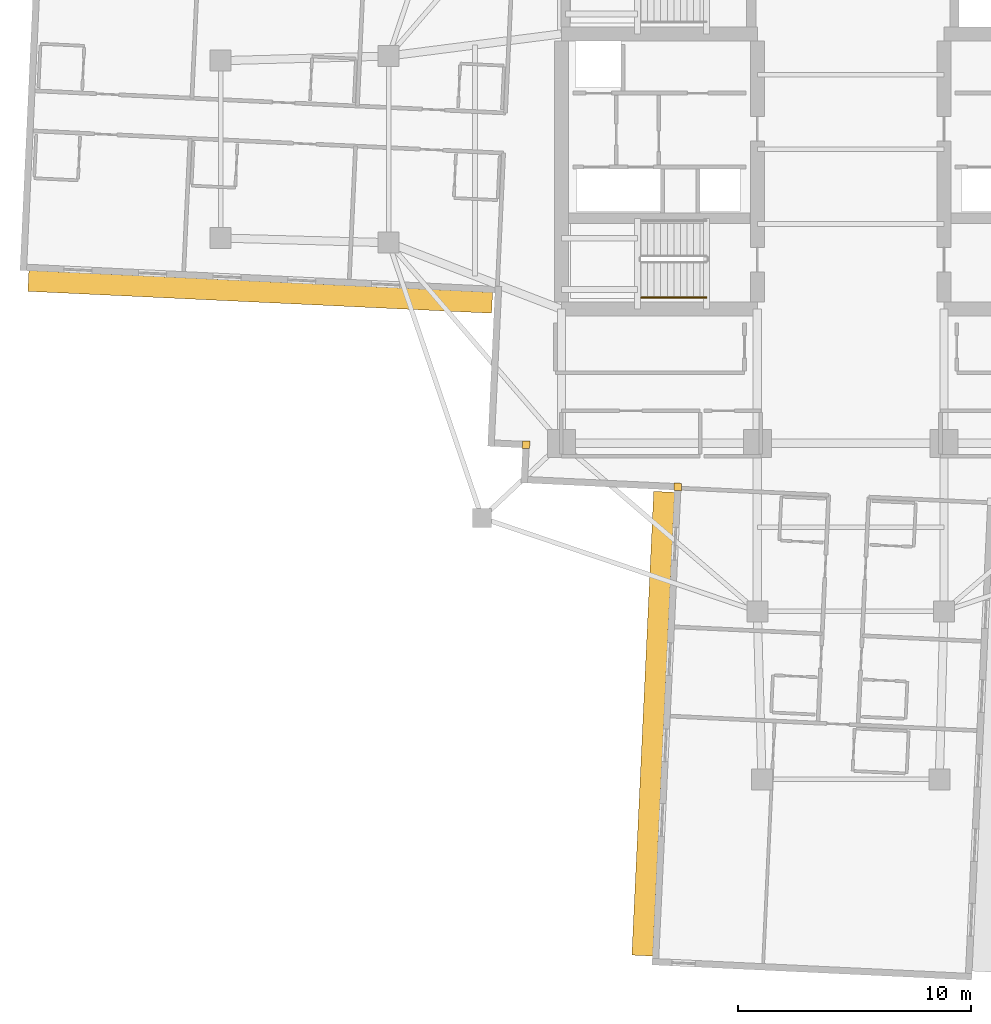
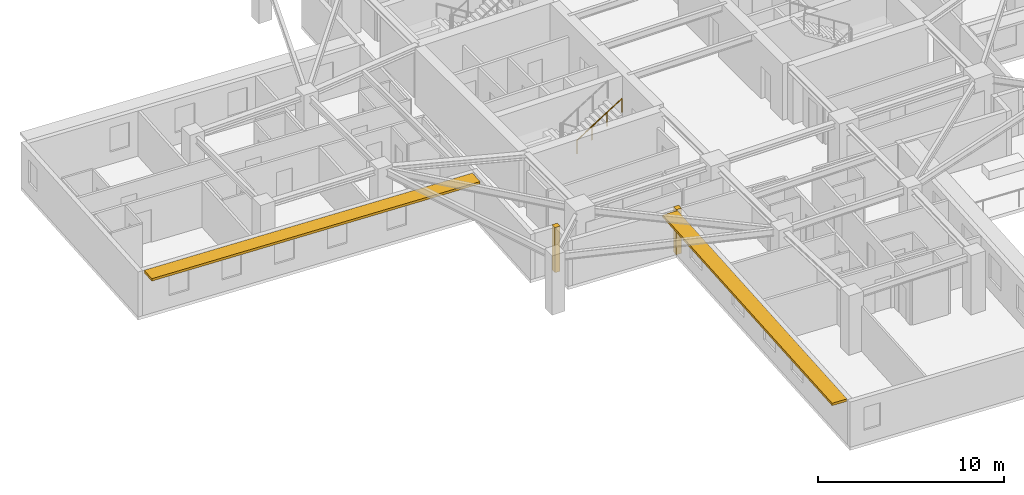
# One storey, part 10 of 14: 2 coverings, 2 shading devices, 1 railing.
"""IFC4 building model written with IfcOpenShell, lengths in metres."""

import ifcopenshell
import ifcopenshell.guid

model = None  # the IFC model being written
_history = None  # IfcOwnerHistory: only IFC2X3 demands one
_inside = {}  # id of a spatial element -> (the spatial element, [elements in it])
_under = {}  # id of a project, library or spatial element -> (it, [spatial elements below it])
_declared = {}  # id of a project -> (the project, [libraries it declares])
_typed = {}  # id of a type object -> (the type object, [elements of that type])
_made_of = {}  # id of a material, layer set ... -> (it, [elements and type objects made of it])


def new_model(schema):
    """Start an empty IFC model of exactly this schema.

    Asked for "IFC4X3", IfcOpenShell would pick the latest addendum, in which some entities
    have other attributes; the version numbers below select the first issue.
    IFC2X3 requires an IfcOwnerHistory on every rooted entity: one is made here for all.
    """
    global model, _history
    if schema == "IFC4X3":
        model = ifcopenshell.file(schema_version=(4, 3, 0, 0))
    else:
        model = ifcopenshell.file(schema=schema)
    _inside.clear()
    _under.clear()
    _declared.clear()
    _typed.clear()
    _made_of.clear()
    _history = None
    if model.schema == "IFC2X3":
        org = make("IfcOrganization", Name="unknown")
        user = make(
            "IfcPersonAndOrganization",
            ThePerson=make("IfcPerson", FamilyName="unknown"),
            TheOrganization=org,
        )
        app = make(
            "IfcApplication",
            ApplicationDeveloper=org,
            Version="unknown",
            ApplicationFullName="unknown",
            ApplicationIdentifier="unknown",
        )
        _history = make(
            "IfcOwnerHistory",
            OwningUser=user,
            OwningApplication=app,
            ChangeAction="ADDED",
            CreationDate=0,
        )
    return model


def make(cls, **values):
    """One entity of the class cls with the attributes given. An attribute that is None is left unset."""
    return model.create_entity(
        cls, **{name: value for name, value in values.items() if value is not None}
    )


def rooted(cls, **values):
    """An entity with a GlobalId (a new one), such as an element, a storey or a relation."""
    return make(cls, GlobalId=ifcopenshell.guid.new(), OwnerHistory=_history, **values)


def si_unit(unit_type, name, prefix=None):
    """IfcSIUnit, for example si_unit("LENGTHUNIT", "METRE", prefix="MILLI")."""
    return make("IfcSIUnit", UnitType=unit_type, Prefix=prefix, Name=name)


def assignment(units):
    """IfcUnitAssignment: the units of a project."""
    return None if units is None else make("IfcUnitAssignment", Units=units)


def point(xyz):
    """IfcCartesianPoint."""
    return None if xyz is None else make("IfcCartesianPoint", Coordinates=xyz)


def direction(xyz):
    """IfcDirection."""
    return None if xyz is None else make("IfcDirection", DirectionRatios=xyz)


def frame(location, z_axis=None, x_axis=None):
    """IfcAxis2Placement3D, a coordinate frame: its origin and axes. An axis left out is left unset."""
    return make(
        "IfcAxis2Placement3D",
        Location=point(location),
        Axis=direction(z_axis),
        RefDirection=direction(x_axis),
    )


def frame_2d(location, x_axis=None):
    """IfcAxis2Placement2D, a coordinate frame in the plane: its origin and x axis."""
    return make(
        "IfcAxis2Placement2D", Location=point(location), RefDirection=direction(x_axis)
    )


def origin():
    """The frame at (0, 0, 0) with its axes left unset."""
    return frame((0.0, 0.0, 0.0))


def origin_2d():
    """The frame at (0, 0) in the plane with its x axis left unset."""
    return frame_2d((0.0, 0.0))


def place(relative_to, where):
    """IfcLocalPlacement: puts the frame where relative to a parent placement (None: the world)."""
    return make(
        "IfcLocalPlacement", PlacementRelTo=relative_to, RelativePlacement=where
    )


def context(
    kind, dimensions, precision=None, world=None, true_north=None, identifier=None
):
    """IfcGeometricRepresentationContext, for example the 3D "Model" context."""
    return make(
        "IfcGeometricRepresentationContext",
        ContextIdentifier=identifier,
        ContextType=kind,
        CoordinateSpaceDimension=dimensions,
        Precision=precision,
        WorldCoordinateSystem=world,
        TrueNorth=true_north,
    )


def subcontext(parent, identifier, kind, view, scale=None):
    """IfcGeometricRepresentationSubContext, for example "Body" below "Model"."""
    return make(
        "IfcGeometricRepresentationSubContext",
        ContextIdentifier=identifier,
        ContextType=kind,
        ParentContext=parent,
        TargetScale=scale,
        TargetView=view,
    )


def project(units=None, contexts=None):
    """IfcProject with its units and contexts."""
    return rooted(
        "IfcProject",
        Name="project",
        RepresentationContexts=contexts,
        UnitsInContext=assignment(units),
    )


def spatial(cls, under=None, at=None, **own):
    """A site, building, storey or space (cls), placed at a placement, below another one or the project."""
    s = rooted(cls, ObjectPlacement=at, **own)
    if under is not None:
        _under.setdefault(under.id(), (under, []))[1].append(s)
    return s


def profile(cls, at=None, kind="AREA", **sizes):
    """A parametric profile (cls). Its sizes go by their IFC names, for example OverallWidth=200.0."""
    return make(cls, ProfileType=kind, Position=at, **sizes)


def rectangle(**sizes):
    """IfcRectangleProfileDef."""
    return profile("IfcRectangleProfileDef", **sizes)


def circle(**sizes):
    """IfcCircleProfileDef."""
    return profile("IfcCircleProfileDef", **sizes)


def extrude(swept, where, along, depth):
    """IfcExtrudedAreaSolid: the profile swept, set in the frame where, extruded along a direction by depth."""
    return make(
        "IfcExtrudedAreaSolid",
        SweptArea=swept,
        Position=where,
        ExtrudedDirection=direction(along),
        Depth=depth,
    )


def shape(context_of_items, identifier, shape_type, items):
    """IfcShapeRepresentation: the items that make up one representation, for example the "Body"."""
    return make(
        "IfcShapeRepresentation",
        ContextOfItems=context_of_items,
        RepresentationIdentifier=identifier,
        RepresentationType=shape_type,
        Items=items,
    )


def material(Name=None, Category=None):
    """IfcMaterial."""
    return make("IfcMaterial", Name=Name, Category=Category)


def layer(
    of_material, thickness, ventilated=None, Name=None, Category=None, Priority=None
):
    """IfcMaterialLayer: one layer of a wall or slab, of a material (None: an air gap)."""
    return make(
        "IfcMaterialLayer",
        Material=of_material,
        LayerThickness=thickness,
        IsVentilated=ventilated,
        Name=Name,
        Category=Category,
        Priority=Priority,
    )


def layer_set(layers, Name=None):
    """IfcMaterialLayerSet."""
    return make("IfcMaterialLayerSet", MaterialLayers=layers, LayerSetName=Name)


def made_of(thing, what):
    """Note that an element or type object is made of a material, layer set ...; save() writes the relation."""
    if what is not None:
        _made_of.setdefault(what.id(), (what, []))[1].append(thing)
    return thing


def type_object(cls, material=None, **own):
    """A type object (cls), such as IfcWallType, which elements share."""
    return made_of(rooted(cls, **own), material)


def element(
    cls,
    number,
    at=None,
    inside=None,
    cuts=None,
    type_object=None,
    material=None,
    context=None,
    identifier="Body",
    shape_type=None,
    held_by="IfcProductDefinitionShape",
    body=None,
    shapes=None,
    **own,
):
    """One element of the class cls, such as IfcWall. Its Tag is "e" and its number.

    at: its placement. inside: the storey or other place that contains it. cuts: it is an
    opening in that element (IfcRelVoidsElement). A single representation is given by context,
    identifier, shape_type and body (its items); several are given by shapes. held_by: the class
    of the entity that holds the representations. save() writes the other relations.
    """
    e = rooted(cls, Tag="e%d" % number, ObjectPlacement=at, **own)
    if body is not None:
        shapes = [shape(context, identifier, shape_type, body)]
    if shapes is not None:
        e.Representation = make(held_by, Representations=shapes)
    if inside is not None:
        _inside.setdefault(inside.id(), (inside, []))[1].append(e)
    if cuts is not None:
        rooted(
            "IfcRelVoidsElement", RelatingBuildingElement=cuts, RelatedOpeningElement=e
        )
    if type_object is not None:
        _typed.setdefault(type_object.id(), (type_object, []))[1].append(e)
    return made_of(e, material)


def aggregate(whole, parts):
    """IfcRelAggregates: a whole, such as a stair, and the parts it consists of."""
    return rooted("IfcRelAggregates", RelatingObject=whole, RelatedObjects=parts)


def save(model, path):
    """Write the relations noted so far, then the file.

    IfcRelAggregates (storeys below a building ...), IfcRelContainedInSpatialStructure (elements
    in a storey), IfcRelDefinesByType, IfcRelAssociatesMaterial and IfcRelDeclares: one each for
    every whole, place, type object, material and project.
    """
    for whole, parts in _under.values():
        aggregate(whole, parts)
    for where, things in _inside.values():
        rooted(
            "IfcRelContainedInSpatialStructure",
            RelatedElements=things,
            RelatingStructure=where,
        )
    for kind, things in _typed.values():
        rooted("IfcRelDefinesByType", RelatedObjects=things, RelatingType=kind)
    for what, things in _made_of.values():
        rooted("IfcRelAssociatesMaterial", RelatedObjects=things, RelatingMaterial=what)
    for by, libraries in _declared.values():
        rooted("IfcRelDeclares", RelatingContext=by, RelatedDefinitions=libraries)
    model.write(path)


model = new_model("IFC4")

# Units and contexts
model_context = context("Model", 3, precision=1e-05, world=origin(), true_north=direction((0.0, 1.0)))
body_context = subcontext(model_context, "Body", "Model", "MODEL_VIEW")
ifc_project = project(units=[si_unit("LENGTHUNIT", "METRE"), si_unit("AREAUNIT", "SQUARE_METRE"), si_unit("VOLUMEUNIT", "CUBIC_METRE"), si_unit("PLANEANGLEUNIT", "RADIAN"), si_unit("MASSUNIT", "GRAM", prefix="KILO")], contexts=[model_context])

# Site, building, storey
site_placement = place(None, origin())
site = spatial("IfcSite", under=ifc_project, at=site_placement, CompositionType="ELEMENT")
building_placement = place(site_placement, origin())
building = spatial("IfcBuilding", under=site, at=building_placement, Name="Qingluan Cross Belvedere", CompositionType="ELEMENT")
storey_placement = place(building_placement, frame((0.0, 0.0, 172.199951171875)))
storey = spatial("IfcBuildingStorey", under=building, at=storey_placement, Name="L43", CompositionType="ELEMENT", Elevation=172.199951171875)

# Coverings
ifc_material_1 = material(Name="Precast concrete C45", Category="concrete")
ifc_layer_1 = layer(ifc_material_1, 0.1201171875, Name="ConcreteSpandrelCladding_120")
ifc_layer_set_1 = layer_set([ifc_layer_1], Name="Precast concrete C45")
covering_type = type_object("IfcCoveringType", Name="ConcreteSpandrelCladding_120", PredefinedType="CLADDING", material=ifc_layer_set_1)
for number, where, z_axis, x_axis, name in (
    (1, (-13.911865234375, -12.65869140625, 0.0), (0.0, 0.0, 1.0), (0.998889874962, -0.04710645071, 0.0), "Corner closure L43-SW1"),
    (2, (-7.40966796875, -14.467041015625, 0.0), (0.0, 0.0, 1.0), (0.998889874962, -0.04710645071, 0.0), "Corner closure L43-SW2"),
):
    element("IfcCovering", number, at=place(storey_placement, frame(where, z_axis=z_axis, x_axis=x_axis)), inside=storey, type_object=covering_type, Name=name, PredefinedType="CLADDING", context=body_context, shape_type="SweptSolid", body=[
        extrude(rectangle(XDim=0.320068359375, YDim=0.320068359375, at=origin_2d()), origin(), (0.0, 0.0, 1.0), 2.969970703125),
    ])

# Shading devices
ifc_material_2 = material(Name="Precast concrete C45", Category="concrete")
ifc_layer_2 = layer(ifc_material_2, 0.159912109375, Name="ConcreteSunshadeBand_900")
ifc_layer_set_2 = layer_set([ifc_layer_2], Name="Precast concrete C45")
shading_device_type = type_object("IfcShadingDeviceType", Name="ConcreteSunshadeBand_900", PredefinedType="USERDEFINED", material=ifc_layer_set_2)
for number, where, z_axis, x_axis, name in (
    (3, (-25.3056640625, -6.104736328125, 2.7900390625), (0.0, 0.0, 1.0), (0.998889735192, -0.04710941444, 0.0), "Concrete SUNSHADE L43-WB"),
    (4, (-8.458984375, -24.618896484375, 2.7900390625), (0.0, 0.0, 1.0), (-0.047104684445, -0.998889958255, 0.0), "Concrete SUNSHADE L43-SA"),
):
    element("IfcShadingDevice", number, at=place(storey_placement, frame(where, z_axis=z_axis, x_axis=x_axis)), inside=storey, type_object=shading_device_type, Name=name, ObjectType="SUNSHADE", PredefinedType="USERDEFINED", context=body_context, shape_type="SweptSolid", body=[
        extrude(rectangle(XDim=19.89990234375, YDim=0.89990234375, at=origin_2d()), origin(), (0.0, 0.0, 1.0), 0.159912109375),
    ])

# Railing
ifc_material_3 = material(Name="Brushed stainless steel tubular handrail", Category="steel")
railing_type = type_object("IfcRailingType", Name="StairPitchHandrail_900", PredefinedType="HANDRAIL", material=ifc_material_3)
railing_placement = place(storey_placement, frame((-8.97998046875, -6.35009765625, 2.12744140625)))
element("IfcRailing", 5, at=railing_placement, inside=storey, type_object=railing_type, Name="L43 ST1 stair handrail 2", PredefinedType="HANDRAIL", context=body_context, shape_type="SweptSolid", body=[
    extrude(circle(Radius=0.02392578125, at=origin_2d()), frame((0.0, 0.0, 0.8759765625), z_axis=(0.844908973607, 0.0, 0.534910110503), x_axis=(0.0, 1.0, 0.0)), (0.0, 0.0, 1.0), 3.31396484375),
    extrude(circle(Radius=0.02099609375, at=origin_2d()), origin(), (0.0, 0.0, 1.0), 0.851806640625),
    extrude(circle(Radius=0.02099609375, at=origin_2d()), frame((0.933349609375, 0.0, 0.5908203125)), (0.0, 0.0, 1.0), 0.851806640625),
    extrude(circle(Radius=0.02099609375, at=origin_2d()), frame((1.86669921875, 0.0, 1.181884765625)), (0.0, 0.0, 1.0), 0.851806640625),
    extrude(circle(Radius=0.02099609375, at=origin_2d()), frame((2.800048828125, 0.0, 1.772705078125)), (0.0, 0.0, 1.0), 0.851806640625),
])

save(model, "model.ifc")
